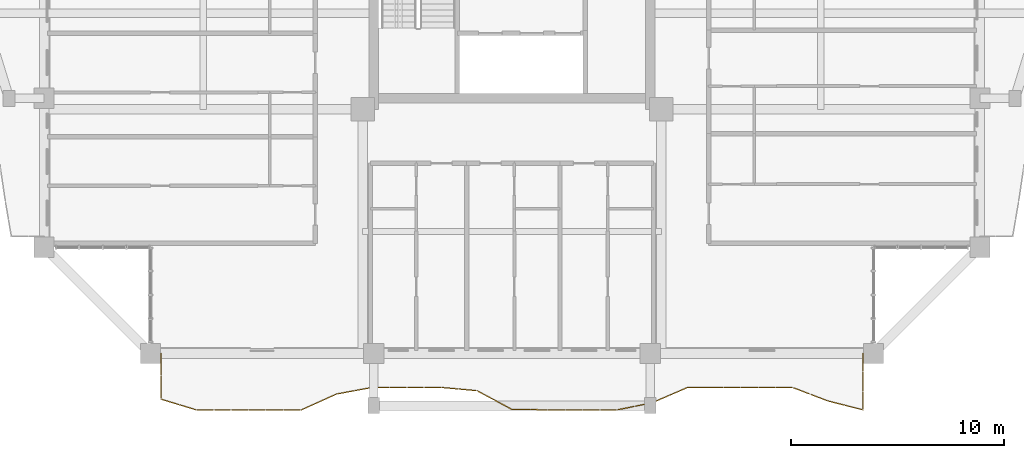
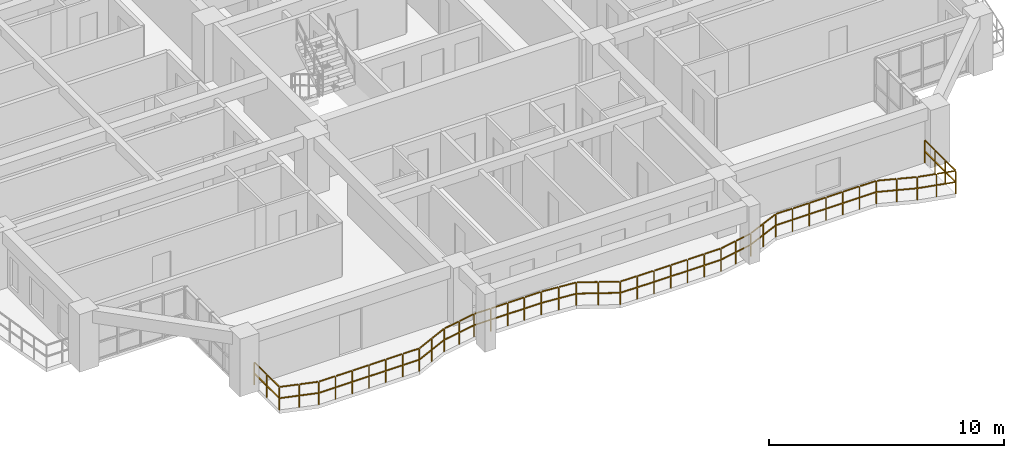
# One storey, part 20 of 24: 1 railing.
"""IFC4 building model written with IfcOpenShell, lengths in metres."""

import ifcopenshell
import ifcopenshell.guid

model = None  # the IFC model being written
_history = None  # IfcOwnerHistory: only IFC2X3 demands one
_inside = {}  # id of a spatial element -> (the spatial element, [elements in it])
_under = {}  # id of a project, library or spatial element -> (it, [spatial elements below it])
_declared = {}  # id of a project -> (the project, [libraries it declares])
_typed = {}  # id of a type object -> (the type object, [elements of that type])
_made_of = {}  # id of a material, layer set ... -> (it, [elements and type objects made of it])


def new_model(schema):
    """Start an empty IFC model of exactly this schema.

    Asked for "IFC4X3", IfcOpenShell would pick the latest addendum, in which some entities
    have other attributes; the version numbers below select the first issue.
    IFC2X3 requires an IfcOwnerHistory on every rooted entity: one is made here for all.
    """
    global model, _history
    if schema == "IFC4X3":
        model = ifcopenshell.file(schema_version=(4, 3, 0, 0))
    else:
        model = ifcopenshell.file(schema=schema)
    _inside.clear()
    _under.clear()
    _declared.clear()
    _typed.clear()
    _made_of.clear()
    _history = None
    if model.schema == "IFC2X3":
        org = make("IfcOrganization", Name="unknown")
        user = make(
            "IfcPersonAndOrganization",
            ThePerson=make("IfcPerson", FamilyName="unknown"),
            TheOrganization=org,
        )
        app = make(
            "IfcApplication",
            ApplicationDeveloper=org,
            Version="unknown",
            ApplicationFullName="unknown",
            ApplicationIdentifier="unknown",
        )
        _history = make(
            "IfcOwnerHistory",
            OwningUser=user,
            OwningApplication=app,
            ChangeAction="ADDED",
            CreationDate=0,
        )
    return model


def make(cls, **values):
    """One entity of the class cls with the attributes given. An attribute that is None is left unset."""
    return model.create_entity(
        cls, **{name: value for name, value in values.items() if value is not None}
    )


def rooted(cls, **values):
    """An entity with a GlobalId (a new one), such as an element, a storey or a relation."""
    return make(cls, GlobalId=ifcopenshell.guid.new(), OwnerHistory=_history, **values)


def si_unit(unit_type, name, prefix=None):
    """IfcSIUnit, for example si_unit("LENGTHUNIT", "METRE", prefix="MILLI")."""
    return make("IfcSIUnit", UnitType=unit_type, Prefix=prefix, Name=name)


def assignment(units):
    """IfcUnitAssignment: the units of a project."""
    return None if units is None else make("IfcUnitAssignment", Units=units)


def point(xyz):
    """IfcCartesianPoint."""
    return None if xyz is None else make("IfcCartesianPoint", Coordinates=xyz)


def direction(xyz):
    """IfcDirection."""
    return None if xyz is None else make("IfcDirection", DirectionRatios=xyz)


def frame(location, z_axis=None, x_axis=None):
    """IfcAxis2Placement3D, a coordinate frame: its origin and axes. An axis left out is left unset."""
    return make(
        "IfcAxis2Placement3D",
        Location=point(location),
        Axis=direction(z_axis),
        RefDirection=direction(x_axis),
    )


def frame_2d(location, x_axis=None):
    """IfcAxis2Placement2D, a coordinate frame in the plane: its origin and x axis."""
    return make(
        "IfcAxis2Placement2D", Location=point(location), RefDirection=direction(x_axis)
    )


def origin():
    """The frame at (0, 0, 0) with its axes left unset."""
    return frame((0.0, 0.0, 0.0))


def origin_2d():
    """The frame at (0, 0) in the plane with its x axis left unset."""
    return frame_2d((0.0, 0.0))


def place(relative_to, where):
    """IfcLocalPlacement: puts the frame where relative to a parent placement (None: the world)."""
    return make(
        "IfcLocalPlacement", PlacementRelTo=relative_to, RelativePlacement=where
    )


def context(
    kind, dimensions, precision=None, world=None, true_north=None, identifier=None
):
    """IfcGeometricRepresentationContext, for example the 3D "Model" context."""
    return make(
        "IfcGeometricRepresentationContext",
        ContextIdentifier=identifier,
        ContextType=kind,
        CoordinateSpaceDimension=dimensions,
        Precision=precision,
        WorldCoordinateSystem=world,
        TrueNorth=true_north,
    )


def subcontext(parent, identifier, kind, view, scale=None):
    """IfcGeometricRepresentationSubContext, for example "Body" below "Model"."""
    return make(
        "IfcGeometricRepresentationSubContext",
        ContextIdentifier=identifier,
        ContextType=kind,
        ParentContext=parent,
        TargetScale=scale,
        TargetView=view,
    )


def project(units=None, contexts=None):
    """IfcProject with its units and contexts."""
    return rooted(
        "IfcProject",
        Name="project",
        RepresentationContexts=contexts,
        UnitsInContext=assignment(units),
    )


def spatial(cls, under=None, at=None, **own):
    """A site, building, storey or space (cls), placed at a placement, below another one or the project."""
    s = rooted(cls, ObjectPlacement=at, **own)
    if under is not None:
        _under.setdefault(under.id(), (under, []))[1].append(s)
    return s


def profile(cls, at=None, kind="AREA", **sizes):
    """A parametric profile (cls). Its sizes go by their IFC names, for example OverallWidth=200.0."""
    return make(cls, ProfileType=kind, Position=at, **sizes)


def rectangle(**sizes):
    """IfcRectangleProfileDef."""
    return profile("IfcRectangleProfileDef", **sizes)


def extrude(swept, where, along, depth):
    """IfcExtrudedAreaSolid: the profile swept, set in the frame where, extruded along a direction by depth."""
    return make(
        "IfcExtrudedAreaSolid",
        SweptArea=swept,
        Position=where,
        ExtrudedDirection=direction(along),
        Depth=depth,
    )


def shape(context_of_items, identifier, shape_type, items):
    """IfcShapeRepresentation: the items that make up one representation, for example the "Body"."""
    return make(
        "IfcShapeRepresentation",
        ContextOfItems=context_of_items,
        RepresentationIdentifier=identifier,
        RepresentationType=shape_type,
        Items=items,
    )


def material(Name=None, Category=None):
    """IfcMaterial."""
    return make("IfcMaterial", Name=Name, Category=Category)


def made_of(thing, what):
    """Note that an element or type object is made of a material, layer set ...; save() writes the relation."""
    if what is not None:
        _made_of.setdefault(what.id(), (what, []))[1].append(thing)
    return thing


def type_object(cls, material=None, **own):
    """A type object (cls), such as IfcWallType, which elements share."""
    return made_of(rooted(cls, **own), material)


def element(
    cls,
    number,
    at=None,
    inside=None,
    cuts=None,
    type_object=None,
    material=None,
    context=None,
    identifier="Body",
    shape_type=None,
    held_by="IfcProductDefinitionShape",
    body=None,
    shapes=None,
    **own,
):
    """One element of the class cls, such as IfcWall. Its Tag is "e" and its number.

    at: its placement. inside: the storey or other place that contains it. cuts: it is an
    opening in that element (IfcRelVoidsElement). A single representation is given by context,
    identifier, shape_type and body (its items); several are given by shapes. held_by: the class
    of the entity that holds the representations. save() writes the other relations.
    """
    e = rooted(cls, Tag="e%d" % number, ObjectPlacement=at, **own)
    if body is not None:
        shapes = [shape(context, identifier, shape_type, body)]
    if shapes is not None:
        e.Representation = make(held_by, Representations=shapes)
    if inside is not None:
        _inside.setdefault(inside.id(), (inside, []))[1].append(e)
    if cuts is not None:
        rooted(
            "IfcRelVoidsElement", RelatingBuildingElement=cuts, RelatedOpeningElement=e
        )
    if type_object is not None:
        _typed.setdefault(type_object.id(), (type_object, []))[1].append(e)
    return made_of(e, material)


def aggregate(whole, parts):
    """IfcRelAggregates: a whole, such as a stair, and the parts it consists of."""
    return rooted("IfcRelAggregates", RelatingObject=whole, RelatedObjects=parts)


def save(model, path):
    """Write the relations noted so far, then the file.

    IfcRelAggregates (storeys below a building ...), IfcRelContainedInSpatialStructure (elements
    in a storey), IfcRelDefinesByType, IfcRelAssociatesMaterial and IfcRelDeclares: one each for
    every whole, place, type object, material and project.
    """
    for whole, parts in _under.values():
        aggregate(whole, parts)
    for where, things in _inside.values():
        rooted(
            "IfcRelContainedInSpatialStructure",
            RelatedElements=things,
            RelatingStructure=where,
        )
    for kind, things in _typed.values():
        rooted("IfcRelDefinesByType", RelatedObjects=things, RelatingType=kind)
    for what, things in _made_of.values():
        rooted("IfcRelAssociatesMaterial", RelatedObjects=things, RelatingMaterial=what)
    for by, libraries in _declared.values():
        rooted("IfcRelDeclares", RelatingContext=by, RelatedDefinitions=libraries)
    model.write(path)


model = new_model("IFC4")

# Units and contexts
model_context = context("Model", 3, precision=1e-05, world=origin(), true_north=direction((0.0, 1.0)))
body_context = subcontext(model_context, "Body", "Model", "MODEL_VIEW")
ifc_project = project(units=[si_unit("LENGTHUNIT", "METRE"), si_unit("AREAUNIT", "SQUARE_METRE"), si_unit("VOLUMEUNIT", "CUBIC_METRE"), si_unit("PLANEANGLEUNIT", "RADIAN"), si_unit("MASSUNIT", "GRAM", prefix="KILO")], contexts=[model_context])

# Site, building, storey
site_placement = place(None, origin())
site = spatial("IfcSite", under=ifc_project, at=site_placement, CompositionType="ELEMENT")
building_placement = place(site_placement, origin())
building = spatial("IfcBuilding", under=site, at=building_placement, Name="Saelheon Loggia Tower", CompositionType="ELEMENT")
storey_placement = place(building_placement, frame((0.0, 0.0, 166.0)))
storey = spatial("IfcBuildingStorey", under=building, at=storey_placement, Name="L52", CompositionType="ELEMENT", Elevation=166.0)

# Railing
ifc_material = material(Name="Architectural Precast Concrete and Laminated Glass Guard", Category="concrete")
railing_type = type_object("IfcRailingType", Name="Guard_Loggia_RL_LOG", PredefinedType="BALUSTRADE", material=ifc_material)
railing_placement = place(storey_placement, frame((21.5, 6.0, 0.0)))
element("IfcRailing", 1, at=railing_placement, inside=storey, type_object=railing_type, Name="L52 South Loggia Balustrade", PredefinedType="BALUSTRADE", context=body_context, shape_type="SweptSolid", body=[
    extrude(rectangle(XDim=0.048095703125, YDim=0.048095703125, at=origin_2d()), frame((0.0, -0.033203125, 1.19580078125), z_axis=(0.0, -1.0, 0.0), x_axis=(1.0, 0.0, 0.0)), (0.0, 0.0, 1.0), 1.008544921875),
    extrude(rectangle(XDim=0.048095703125, YDim=0.048095703125, at=origin_2d()), frame((0.0, -0.033203125, 0.60986328125), z_axis=(0.0, -1.0, 0.0), x_axis=(1.0, 0.0, 0.0)), (0.0, 0.0, 1.0), 1.008544921875),
    extrude(rectangle(XDim=0.048095703125, YDim=0.048095703125, at=origin_2d()), frame((0.0, -1.108154296875, 1.19580078125), z_axis=(0.0, -1.0, 0.0), x_axis=(1.0, 0.0, 0.0)), (0.0, 0.0, 1.0), 1.008544921875),
    extrude(rectangle(XDim=0.048095703125, YDim=0.048095703125, at=origin_2d()), frame((0.0, -1.108154296875, 0.60986328125), z_axis=(0.0, -1.0, 0.0), x_axis=(1.0, 0.0, 0.0)), (0.0, 0.0, 1.0), 1.008544921875),
    extrude(rectangle(XDim=0.048095703125, YDim=0.048095703125, at=origin_2d()), frame((0.03173828125, -2.159423828125, 1.19580078125), z_axis=(0.957019640205, -0.290023116771, 0.0), x_axis=(0.290023116771, 0.957019640205, 0.0)), (0.0, 0.0, 1.0), 0.79541015625),
    extrude(rectangle(XDim=0.048095703125, YDim=0.048095703125, at=origin_2d()), frame((0.03173828125, -2.159423828125, 0.60986328125), z_axis=(0.957019640205, -0.290023116771, 0.0), x_axis=(0.290023116771, 0.957019640205, 0.0)), (0.0, 0.0, 1.0), 0.79541015625),
    extrude(rectangle(XDim=0.048095703125, YDim=0.048095703125, at=origin_2d()), frame((0.856689453125, -2.409423828125, 1.19580078125), z_axis=(0.957019640205, -0.290023116771, 0.0), x_axis=(0.290023116771, 0.957019640205, 0.0)), (0.0, 0.0, 1.0), 0.79541015625),
    extrude(rectangle(XDim=0.048095703125, YDim=0.048095703125, at=origin_2d()), frame((0.856689453125, -2.409423828125, 0.60986328125), z_axis=(0.957019640205, -0.290023116771, 0.0), x_axis=(0.290023116771, 0.957019640205, 0.0)), (0.0, 0.0, 1.0), 0.79541015625),
    extrude(rectangle(XDim=0.048095703125, YDim=0.048095703125, at=origin_2d()), frame((1.68310546875, -2.64990234375, 1.19580078125), z_axis=(1.0, 0.0, 0.0), x_axis=(0.0, 1.0, 0.0)), (0.0, 0.0, 1.0), 0.758544921875),
    extrude(rectangle(XDim=0.048095703125, YDim=0.048095703125, at=origin_2d()), frame((1.68310546875, -2.64990234375, 0.60986328125), z_axis=(1.0, 0.0, 0.0), x_axis=(0.0, 1.0, 0.0)), (0.0, 0.0, 1.0), 0.758544921875),
    extrude(rectangle(XDim=0.048095703125, YDim=0.048095703125, at=origin_2d()), frame((2.50830078125, -2.64990234375, 1.19580078125), z_axis=(1.0, 0.0, 0.0), x_axis=(0.0, 1.0, 0.0)), (0.0, 0.0, 1.0), 0.758544921875),
    extrude(rectangle(XDim=0.048095703125, YDim=0.048095703125, at=origin_2d()), frame((2.50830078125, -2.64990234375, 0.60986328125), z_axis=(1.0, 0.0, 0.0), x_axis=(0.0, 1.0, 0.0)), (0.0, 0.0, 1.0), 0.758544921875),
    extrude(rectangle(XDim=0.048095703125, YDim=0.048095703125, at=origin_2d()), frame((3.333251953125, -2.64990234375, 1.19580078125), z_axis=(1.0, 0.0, 0.0), x_axis=(0.0, 1.0, 0.0)), (0.0, 0.0, 1.0), 0.758544921875),
    extrude(rectangle(XDim=0.048095703125, YDim=0.048095703125, at=origin_2d()), frame((3.333251953125, -2.64990234375, 0.60986328125), z_axis=(1.0, 0.0, 0.0), x_axis=(0.0, 1.0, 0.0)), (0.0, 0.0, 1.0), 0.758544921875),
    extrude(rectangle(XDim=0.048095703125, YDim=0.048095703125, at=origin_2d()), frame((4.158203125, -2.64990234375, 1.19580078125), z_axis=(1.0, 0.0, 0.0), x_axis=(0.0, 1.0, 0.0)), (0.0, 0.0, 1.0), 0.758544921875),
    extrude(rectangle(XDim=0.048095703125, YDim=0.048095703125, at=origin_2d()), frame((4.158203125, -2.64990234375, 0.60986328125), z_axis=(1.0, 0.0, 0.0), x_axis=(0.0, 1.0, 0.0)), (0.0, 0.0, 1.0), 0.758544921875),
    extrude(rectangle(XDim=0.048095703125, YDim=0.048095703125, at=origin_2d()), frame((4.983154296875, -2.64990234375, 1.19580078125), z_axis=(1.0, 0.0, 0.0), x_axis=(0.0, 1.0, 0.0)), (0.0, 0.0, 1.0), 0.758544921875),
    extrude(rectangle(XDim=0.048095703125, YDim=0.048095703125, at=origin_2d()), frame((4.983154296875, -2.64990234375, 0.60986328125), z_axis=(1.0, 0.0, 0.0), x_axis=(0.0, 1.0, 0.0)), (0.0, 0.0, 1.0), 0.758544921875),
    extrude(rectangle(XDim=0.048095703125, YDim=0.048095703125, at=origin_2d()), frame((5.808349609375, -2.64990234375, 1.19580078125), z_axis=(1.0, 0.0, 0.0), x_axis=(0.0, 1.0, 0.0)), (0.0, 0.0, 1.0), 0.758544921875),
    extrude(rectangle(XDim=0.048095703125, YDim=0.048095703125, at=origin_2d()), frame((5.808349609375, -2.64990234375, 0.60986328125), z_axis=(1.0, 0.0, 0.0), x_axis=(0.0, 1.0, 0.0)), (0.0, 0.0, 1.0), 0.758544921875),
    extrude(rectangle(XDim=0.048095703125, YDim=0.048095703125, at=origin_2d()), frame((6.63037109375, -2.63623046875, 1.19580078125), z_axis=(0.911775028972, 0.410690024888, 0.0), x_axis=(-0.410690024888, 0.911775028972, 0.0)), (0.0, 0.0, 1.0), 0.83837890625),
    extrude(rectangle(XDim=0.048095703125, YDim=0.048095703125, at=origin_2d()), frame((6.63037109375, -2.63623046875, 0.60986328125), z_axis=(0.911775028972, 0.410690024888, 0.0), x_axis=(-0.410690024888, 0.911775028972, 0.0)), (0.0, 0.0, 1.0), 0.83837890625),
    extrude(rectangle(XDim=0.048095703125, YDim=0.048095703125, at=origin_2d()), frame((7.455322265625, -2.2646484375, 1.19580078125), z_axis=(0.911775028972, 0.410690024888, 0.0), x_axis=(-0.410690024888, 0.911775028972, 0.0)), (0.0, 0.0, 1.0), 0.83837890625),
    extrude(rectangle(XDim=0.048095703125, YDim=0.048095703125, at=origin_2d()), frame((7.455322265625, -2.2646484375, 0.60986328125), z_axis=(0.911775028972, 0.410690024888, 0.0), x_axis=(-0.410690024888, 0.911775028972, 0.0)), (0.0, 0.0, 1.0), 0.83837890625),
    extrude(rectangle(XDim=0.048095703125, YDim=0.048095703125, at=origin_2d()), frame((8.28271484375, -1.900634765625, 1.19580078125), z_axis=(0.983164102329, 0.182724787293, 0.0), x_axis=(-0.182724787293, 0.983164102329, 0.0)), (0.0, 0.0, 1.0), 0.772705078125),
    extrude(rectangle(XDim=0.048095703125, YDim=0.048095703125, at=origin_2d()), frame((8.28271484375, -1.900634765625, 0.60986328125), z_axis=(0.983164102329, 0.182724787293, 0.0), x_axis=(-0.182724787293, 0.983164102329, 0.0)), (0.0, 0.0, 1.0), 0.772705078125),
    extrude(rectangle(XDim=0.048095703125, YDim=0.048095703125, at=origin_2d()), frame((9.107666015625, -1.747314453125, 1.19580078125), z_axis=(0.983164102329, 0.182724787293, 0.0), x_axis=(-0.182724787293, 0.983164102329, 0.0)), (0.0, 0.0, 1.0), 0.772705078125),
    extrude(rectangle(XDim=0.048095703125, YDim=0.048095703125, at=origin_2d()), frame((9.107666015625, -1.747314453125, 0.60986328125), z_axis=(0.983164102329, 0.182724787293, 0.0), x_axis=(-0.182724787293, 0.983164102329, 0.0)), (0.0, 0.0, 1.0), 0.772705078125),
    extrude(rectangle(XDim=0.048095703125, YDim=0.048095703125, at=origin_2d()), frame((9.93310546875, -1.60009765625, 1.19580078125), z_axis=(1.0, 0.0, 0.0), x_axis=(0.0, 1.0, 0.0)), (0.0, 0.0, 1.0), 0.758544921875),
    extrude(rectangle(XDim=0.048095703125, YDim=0.048095703125, at=origin_2d()), frame((9.93310546875, -1.60009765625, 0.60986328125), z_axis=(1.0, 0.0, 0.0), x_axis=(0.0, 1.0, 0.0)), (0.0, 0.0, 1.0), 0.758544921875),
    extrude(rectangle(XDim=0.048095703125, YDim=0.048095703125, at=origin_2d()), frame((10.75830078125, -1.60009765625, 1.19580078125), z_axis=(1.0, 0.0, 0.0), x_axis=(0.0, 1.0, 0.0)), (0.0, 0.0, 1.0), 0.758544921875),
    extrude(rectangle(XDim=0.048095703125, YDim=0.048095703125, at=origin_2d()), frame((10.75830078125, -1.60009765625, 0.60986328125), z_axis=(1.0, 0.0, 0.0), x_axis=(0.0, 1.0, 0.0)), (0.0, 0.0, 1.0), 0.758544921875),
    extrude(rectangle(XDim=0.048095703125, YDim=0.048095703125, at=origin_2d()), frame((11.583251953125, -1.60009765625, 1.19580078125), z_axis=(1.0, 0.0, 0.0), x_axis=(0.0, 1.0, 0.0)), (0.0, 0.0, 1.0), 0.758544921875),
    extrude(rectangle(XDim=0.048095703125, YDim=0.048095703125, at=origin_2d()), frame((11.583251953125, -1.60009765625, 0.60986328125), z_axis=(1.0, 0.0, 0.0), x_axis=(0.0, 1.0, 0.0)), (0.0, 0.0, 1.0), 0.758544921875),
    extrude(rectangle(XDim=0.048095703125, YDim=0.048095703125, at=origin_2d()), frame((12.408203125, -1.60009765625, 1.19580078125), z_axis=(1.0, 0.0, 0.0), x_axis=(0.0, 1.0, 0.0)), (0.0, 0.0, 1.0), 0.758544921875),
    extrude(rectangle(XDim=0.048095703125, YDim=0.048095703125, at=origin_2d()), frame((12.408203125, -1.60009765625, 0.60986328125), z_axis=(1.0, 0.0, 0.0), x_axis=(0.0, 1.0, 0.0)), (0.0, 0.0, 1.0), 0.758544921875),
    extrude(rectangle(XDim=0.048095703125, YDim=0.048095703125, at=origin_2d()), frame((13.233154296875, -1.60302734375, 1.19580078125), z_axis=(0.99599165433, -0.089446210117, 0.0), x_axis=(0.089446210117, 0.99599165433, 0.0)), (0.0, 0.0, 1.0), 0.761962890625),
    extrude(rectangle(XDim=0.048095703125, YDim=0.048095703125, at=origin_2d()), frame((13.233154296875, -1.60302734375, 0.60986328125), z_axis=(0.99599165433, -0.089446210117, 0.0), x_axis=(0.089446210117, 0.99599165433, 0.0)), (0.0, 0.0, 1.0), 0.761962890625),
    extrude(rectangle(XDim=0.048095703125, YDim=0.048095703125, at=origin_2d()), frame((14.05810546875, -1.67724609375, 1.19580078125), z_axis=(0.99599165433, -0.089446210117, 0.0), x_axis=(0.089446210117, 0.99599165433, 0.0)), (0.0, 0.0, 1.0), 0.761962890625),
    extrude(rectangle(XDim=0.048095703125, YDim=0.048095703125, at=origin_2d()), frame((14.05810546875, -1.67724609375, 0.60986328125), z_axis=(0.99599165433, -0.089446210117, 0.0), x_axis=(0.089446210117, 0.99599165433, 0.0)), (0.0, 0.0, 1.0), 0.761962890625),
    extrude(rectangle(XDim=0.048095703125, YDim=0.048095703125, at=origin_2d()), frame((14.87939453125, -1.763916015625, 1.19580078125), z_axis=(0.882258963507, -0.470764401066, 0.0), x_axis=(0.470764401066, 0.882258963507, 0.0)), (0.0, 0.0, 1.0), 0.86865234375),
    extrude(rectangle(XDim=0.048095703125, YDim=0.048095703125, at=origin_2d()), frame((14.87939453125, -1.763916015625, 0.60986328125), z_axis=(0.882258963507, -0.470764401066, 0.0), x_axis=(0.470764401066, 0.882258963507, 0.0)), (0.0, 0.0, 1.0), 0.86865234375),
    extrude(rectangle(XDim=0.048095703125, YDim=0.048095703125, at=origin_2d()), frame((15.704345703125, -2.2041015625, 1.19580078125), z_axis=(0.882258963507, -0.470764401066, 0.0), x_axis=(0.470764401066, 0.882258963507, 0.0)), (0.0, 0.0, 1.0), 0.86865234375),
    extrude(rectangle(XDim=0.048095703125, YDim=0.048095703125, at=origin_2d()), frame((15.704345703125, -2.2041015625, 0.60986328125), z_axis=(0.882258963507, -0.470764401066, 0.0), x_axis=(0.470764401066, 0.882258963507, 0.0)), (0.0, 0.0, 1.0), 0.86865234375),
    extrude(rectangle(XDim=0.048095703125, YDim=0.048095703125, at=origin_2d()), frame((16.533203125, -2.629150390625, 1.19580078125), z_axis=(0.999917145108, -0.012872564609, 0.0), x_axis=(0.012872564609, 0.999917145108, 0.0)), (0.0, 0.0, 1.0), 0.758544921875),
    extrude(rectangle(XDim=0.048095703125, YDim=0.048095703125, at=origin_2d()), frame((16.533203125, -2.629150390625, 0.60986328125), z_axis=(0.999917145108, -0.012872564609, 0.0), x_axis=(0.012872564609, 0.999917145108, 0.0)), (0.0, 0.0, 1.0), 0.758544921875),
    extrude(rectangle(XDim=0.048095703125, YDim=0.048095703125, at=origin_2d()), frame((17.358154296875, -2.6396484375, 1.19580078125), z_axis=(0.999917145108, -0.012872564609, 0.0), x_axis=(0.012872564609, 0.999917145108, 0.0)), (0.0, 0.0, 1.0), 0.758544921875),
    extrude(rectangle(XDim=0.048095703125, YDim=0.048095703125, at=origin_2d()), frame((17.358154296875, -2.6396484375, 0.60986328125), z_axis=(0.999917145108, -0.012872564609, 0.0), x_axis=(0.012872564609, 0.999917145108, 0.0)), (0.0, 0.0, 1.0), 0.758544921875),
    extrude(rectangle(XDim=0.048095703125, YDim=0.048095703125, at=origin_2d()), frame((18.18310546875, -2.64990234375, 1.19580078125), z_axis=(1.0, 0.0, 0.0), x_axis=(0.0, 1.0, 0.0)), (0.0, 0.0, 1.0), 0.758544921875),
    extrude(rectangle(XDim=0.048095703125, YDim=0.048095703125, at=origin_2d()), frame((18.18310546875, -2.64990234375, 0.60986328125), z_axis=(1.0, 0.0, 0.0), x_axis=(0.0, 1.0, 0.0)), (0.0, 0.0, 1.0), 0.758544921875),
    extrude(rectangle(XDim=0.048095703125, YDim=0.048095703125, at=origin_2d()), frame((19.00830078125, -2.64990234375, 1.19580078125), z_axis=(1.0, 0.0, 0.0), x_axis=(0.0, 1.0, 0.0)), (0.0, 0.0, 1.0), 0.758544921875),
    extrude(rectangle(XDim=0.048095703125, YDim=0.048095703125, at=origin_2d()), frame((19.00830078125, -2.64990234375, 0.60986328125), z_axis=(1.0, 0.0, 0.0), x_axis=(0.0, 1.0, 0.0)), (0.0, 0.0, 1.0), 0.758544921875),
    extrude(rectangle(XDim=0.048095703125, YDim=0.048095703125, at=origin_2d()), frame((19.833251953125, -2.64990234375, 1.19580078125), z_axis=(1.0, 0.0, 0.0), x_axis=(0.0, 1.0, 0.0)), (0.0, 0.0, 1.0), 0.758544921875),
    extrude(rectangle(XDim=0.048095703125, YDim=0.048095703125, at=origin_2d()), frame((19.833251953125, -2.64990234375, 0.60986328125), z_axis=(1.0, 0.0, 0.0), x_axis=(0.0, 1.0, 0.0)), (0.0, 0.0, 1.0), 0.758544921875),
    extrude(rectangle(XDim=0.048095703125, YDim=0.048095703125, at=origin_2d()), frame((20.658203125, -2.64990234375, 1.19580078125), z_axis=(1.0, 0.0, 0.0), x_axis=(0.0, 1.0, 0.0)), (0.0, 0.0, 1.0), 0.758544921875),
    extrude(rectangle(XDim=0.048095703125, YDim=0.048095703125, at=origin_2d()), frame((20.658203125, -2.64990234375, 0.60986328125), z_axis=(1.0, 0.0, 0.0), x_axis=(0.0, 1.0, 0.0)), (0.0, 0.0, 1.0), 0.758544921875),
    extrude(rectangle(XDim=0.048095703125, YDim=0.048095703125, at=origin_2d()), frame((21.482421875, -2.643310546875, 1.19580078125), z_axis=(0.979758245282, 0.200184367027, 0.0), x_axis=(-0.200184367027, 0.979758245282, 0.0)), (0.0, 0.0, 1.0), 0.775634765625),
    extrude(rectangle(XDim=0.048095703125, YDim=0.048095703125, at=origin_2d()), frame((21.482421875, -2.643310546875, 0.60986328125), z_axis=(0.979758245282, 0.200184367027, 0.0), x_axis=(-0.200184367027, 0.979758245282, 0.0)), (0.0, 0.0, 1.0), 0.775634765625),
    extrude(rectangle(XDim=0.048095703125, YDim=0.048095703125, at=origin_2d()), frame((22.3076171875, -2.474609375, 1.19580078125), z_axis=(0.979758245282, 0.200184367027, 0.0), x_axis=(-0.200184367027, 0.979758245282, 0.0)), (0.0, 0.0, 1.0), 0.775634765625),
    extrude(rectangle(XDim=0.048095703125, YDim=0.048095703125, at=origin_2d()), frame((22.3076171875, -2.474609375, 0.60986328125), z_axis=(0.979758245282, 0.200184367027, 0.0), x_axis=(-0.200184367027, 0.979758245282, 0.0)), (0.0, 0.0, 1.0), 0.775634765625),
    extrude(rectangle(XDim=0.048095703125, YDim=0.048095703125, at=origin_2d()), frame((23.130615234375, -2.299560546875, 1.19580078125), z_axis=(0.918024145396, 0.396524486595, 0.0), x_axis=(-0.396524486595, 0.918024145396, 0.0)), (0.0, 0.0, 1.0), 0.83203125),
    extrude(rectangle(XDim=0.048095703125, YDim=0.048095703125, at=origin_2d()), frame((23.130615234375, -2.299560546875, 0.60986328125), z_axis=(0.918024145396, 0.396524486595, 0.0), x_axis=(-0.396524486595, 0.918024145396, 0.0)), (0.0, 0.0, 1.0), 0.83203125),
    extrude(rectangle(XDim=0.048095703125, YDim=0.048095703125, at=origin_2d()), frame((23.95556640625, -1.943359375, 1.19580078125), z_axis=(0.918024145396, 0.396524486595, 0.0), x_axis=(-0.396524486595, 0.918024145396, 0.0)), (0.0, 0.0, 1.0), 0.83203125),
    extrude(rectangle(XDim=0.048095703125, YDim=0.048095703125, at=origin_2d()), frame((23.95556640625, -1.943359375, 0.60986328125), z_axis=(0.918024145396, 0.396524486595, 0.0), x_axis=(-0.396524486595, 0.918024145396, 0.0)), (0.0, 0.0, 1.0), 0.83203125),
    extrude(rectangle(XDim=0.048095703125, YDim=0.048095703125, at=origin_2d()), frame((24.783203125, -1.60009765625, 1.19580078125), z_axis=(1.0, 0.0, 0.0), x_axis=(0.0, 1.0, 0.0)), (0.0, 0.0, 1.0), 0.758544921875),
    extrude(rectangle(XDim=0.048095703125, YDim=0.048095703125, at=origin_2d()), frame((24.783203125, -1.60009765625, 0.60986328125), z_axis=(1.0, 0.0, 0.0), x_axis=(0.0, 1.0, 0.0)), (0.0, 0.0, 1.0), 0.758544921875),
    extrude(rectangle(XDim=0.048095703125, YDim=0.048095703125, at=origin_2d()), frame((25.608154296875, -1.60009765625, 1.19580078125), z_axis=(1.0, 0.0, 0.0), x_axis=(0.0, 1.0, 0.0)), (0.0, 0.0, 1.0), 0.758544921875),
    extrude(rectangle(XDim=0.048095703125, YDim=0.048095703125, at=origin_2d()), frame((25.608154296875, -1.60009765625, 0.60986328125), z_axis=(1.0, 0.0, 0.0), x_axis=(0.0, 1.0, 0.0)), (0.0, 0.0, 1.0), 0.758544921875),
    extrude(rectangle(XDim=0.048095703125, YDim=0.048095703125, at=origin_2d()), frame((26.43310546875, -1.60009765625, 1.19580078125), z_axis=(1.0, 0.0, 0.0), x_axis=(0.0, 1.0, 0.0)), (0.0, 0.0, 1.0), 0.758544921875),
    extrude(rectangle(XDim=0.048095703125, YDim=0.048095703125, at=origin_2d()), frame((26.43310546875, -1.60009765625, 0.60986328125), z_axis=(1.0, 0.0, 0.0), x_axis=(0.0, 1.0, 0.0)), (0.0, 0.0, 1.0), 0.758544921875),
    extrude(rectangle(XDim=0.048095703125, YDim=0.048095703125, at=origin_2d()), frame((27.25830078125, -1.60009765625, 1.19580078125), z_axis=(1.0, 0.0, 0.0), x_axis=(0.0, 1.0, 0.0)), (0.0, 0.0, 1.0), 0.758544921875),
    extrude(rectangle(XDim=0.048095703125, YDim=0.048095703125, at=origin_2d()), frame((27.25830078125, -1.60009765625, 0.60986328125), z_axis=(1.0, 0.0, 0.0), x_axis=(0.0, 1.0, 0.0)), (0.0, 0.0, 1.0), 0.758544921875),
    extrude(rectangle(XDim=0.048095703125, YDim=0.048095703125, at=origin_2d()), frame((28.083251953125, -1.60009765625, 1.19580078125), z_axis=(1.0, 0.0, 0.0), x_axis=(0.0, 1.0, 0.0)), (0.0, 0.0, 1.0), 0.758544921875),
    extrude(rectangle(XDim=0.048095703125, YDim=0.048095703125, at=origin_2d()), frame((28.083251953125, -1.60009765625, 0.60986328125), z_axis=(1.0, 0.0, 0.0), x_axis=(0.0, 1.0, 0.0)), (0.0, 0.0, 1.0), 0.758544921875),
    extrude(rectangle(XDim=0.048095703125, YDim=0.048095703125, at=origin_2d()), frame((28.908203125, -1.60009765625, 1.19580078125), z_axis=(1.0, 0.0, 0.0), x_axis=(0.0, 1.0, 0.0)), (0.0, 0.0, 1.0), 0.758544921875),
    extrude(rectangle(XDim=0.048095703125, YDim=0.048095703125, at=origin_2d()), frame((28.908203125, -1.60009765625, 0.60986328125), z_axis=(1.0, 0.0, 0.0), x_axis=(0.0, 1.0, 0.0)), (0.0, 0.0, 1.0), 0.758544921875),
    extrude(rectangle(XDim=0.048095703125, YDim=0.048095703125, at=origin_2d()), frame((29.73095703125, -1.612060546875, 1.19580078125), z_axis=(0.933974535155, -0.357339569154, 0.0), x_axis=(0.357339569154, 0.933974535155, 0.0)), (0.0, 0.0, 1.0), 0.81689453125),
    extrude(rectangle(XDim=0.048095703125, YDim=0.048095703125, at=origin_2d()), frame((29.73095703125, -1.612060546875, 0.60986328125), z_axis=(0.933974535155, -0.357339569154, 0.0), x_axis=(0.357339569154, 0.933974535155, 0.0)), (0.0, 0.0, 1.0), 0.81689453125),
    extrude(rectangle(XDim=0.048095703125, YDim=0.048095703125, at=origin_2d()), frame((30.55615234375, -1.927734375, 1.19580078125), z_axis=(0.933974535155, -0.357339569154, 0.0), x_axis=(0.357339569154, 0.933974535155, 0.0)), (0.0, 0.0, 1.0), 0.81689453125),
    extrude(rectangle(XDim=0.048095703125, YDim=0.048095703125, at=origin_2d()), frame((30.55615234375, -1.927734375, 0.60986328125), z_axis=(0.933974535155, -0.357339569154, 0.0), x_axis=(0.357339569154, 0.933974535155, 0.0)), (0.0, 0.0, 1.0), 0.81689453125),
    extrude(rectangle(XDim=0.048095703125, YDim=0.048095703125, at=origin_2d()), frame((31.38232421875, -2.239501953125, 1.19580078125), z_axis=(0.969310022118, -0.245841577081, 0.0), x_axis=(0.245841577081, 0.969310022118, 0.0)), (0.0, 0.0, 1.0), 0.78466796875),
    extrude(rectangle(XDim=0.048095703125, YDim=0.048095703125, at=origin_2d()), frame((31.38232421875, -2.239501953125, 0.60986328125), z_axis=(0.969310022118, -0.245841577081, 0.0), x_axis=(0.245841577081, 0.969310022118, 0.0)), (0.0, 0.0, 1.0), 0.78466796875),
    extrude(rectangle(XDim=0.048095703125, YDim=0.048095703125, at=origin_2d()), frame((32.207275390625, -2.44873046875, 1.19580078125), z_axis=(0.969310022118, -0.245841577081, 0.0), x_axis=(0.245841577081, 0.969310022118, 0.0)), (0.0, 0.0, 1.0), 0.78466796875),
    extrude(rectangle(XDim=0.048095703125, YDim=0.048095703125, at=origin_2d()), frame((32.207275390625, -2.44873046875, 0.60986328125), z_axis=(0.969310022118, -0.245841577081, 0.0), x_axis=(0.245841577081, 0.969310022118, 0.0)), (0.0, 0.0, 1.0), 0.78466796875),
    extrude(rectangle(XDim=0.048095703125, YDim=0.048095703125, at=origin_2d()), frame((33.0, -2.61669921875, 1.19580078125), z_axis=(0.0, 1.0, 0.0), x_axis=(-1.0, 0.0, 0.0)), (0.0, 0.0, 1.0), 0.81689453125),
    extrude(rectangle(XDim=0.048095703125, YDim=0.048095703125, at=origin_2d()), frame((33.0, -2.61669921875, 0.60986328125), z_axis=(0.0, 1.0, 0.0), x_axis=(-1.0, 0.0, 0.0)), (0.0, 0.0, 1.0), 0.81689453125),
    extrude(rectangle(XDim=0.048095703125, YDim=0.048095703125, at=origin_2d()), frame((33.0, -1.7333984375, 1.19580078125), z_axis=(0.0, 1.0, 0.0), x_axis=(-1.0, 0.0, 0.0)), (0.0, 0.0, 1.0), 0.81689453125),
    extrude(rectangle(XDim=0.048095703125, YDim=0.048095703125, at=origin_2d()), frame((33.0, -1.7333984375, 0.60986328125), z_axis=(0.0, 1.0, 0.0), x_axis=(-1.0, 0.0, 0.0)), (0.0, 0.0, 1.0), 0.81689453125),
    extrude(rectangle(XDim=0.048095703125, YDim=0.048095703125, at=origin_2d()), frame((33.0, -0.85009765625, 1.19580078125), z_axis=(0.0, 1.0, 0.0), x_axis=(-1.0, 0.0, 0.0)), (0.0, 0.0, 1.0), 0.81689453125),
    extrude(rectangle(XDim=0.048095703125, YDim=0.048095703125, at=origin_2d()), frame((33.0, -0.85009765625, 0.60986328125), z_axis=(0.0, 1.0, 0.0), x_axis=(-1.0, 0.0, 0.0)), (0.0, 0.0, 1.0), 0.81689453125),
    extrude(rectangle(XDim=0.0419921875, YDim=0.0419921875, at=origin_2d()), origin(), (0.0, 0.0, 1.0), 1.16796875),
    extrude(rectangle(XDim=0.0419921875, YDim=0.0419921875, at=origin_2d()), frame((0.0, -1.074951171875, 0.0)), (0.0, 0.0, 1.0), 1.16796875),
    extrude(rectangle(XDim=0.0419921875, YDim=0.0419921875, at=origin_2d()), frame((0.0, -2.14990234375, 0.0)), (0.0, 0.0, 1.0), 1.16796875),
    extrude(rectangle(XDim=0.0419921875, YDim=0.0419921875, at=origin_2d()), frame((0.824951171875, -2.39990234375, 0.0)), (0.0, 0.0, 1.0), 1.16796875),
    extrude(rectangle(XDim=0.0419921875, YDim=0.0419921875, at=origin_2d()), frame((1.64990234375, -2.64990234375, 0.0)), (0.0, 0.0, 1.0), 1.16796875),
    extrude(rectangle(XDim=0.0419921875, YDim=0.0419921875, at=origin_2d()), frame((2.47509765625, -2.64990234375, 0.0)), (0.0, 0.0, 1.0), 1.16796875),
    extrude(rectangle(XDim=0.0419921875, YDim=0.0419921875, at=origin_2d()), frame((3.300048828125, -2.64990234375, 0.0)), (0.0, 0.0, 1.0), 1.16796875),
    extrude(rectangle(XDim=0.0419921875, YDim=0.0419921875, at=origin_2d()), frame((4.125, -2.64990234375, 0.0)), (0.0, 0.0, 1.0), 1.16796875),
    extrude(rectangle(XDim=0.0419921875, YDim=0.0419921875, at=origin_2d()), frame((4.949951171875, -2.64990234375, 0.0)), (0.0, 0.0, 1.0), 1.16796875),
    extrude(rectangle(XDim=0.0419921875, YDim=0.0419921875, at=origin_2d()), frame((5.77490234375, -2.64990234375, 0.0)), (0.0, 0.0, 1.0), 1.16796875),
    extrude(rectangle(XDim=0.0419921875, YDim=0.0419921875, at=origin_2d()), frame((6.60009765625, -2.64990234375, 0.0)), (0.0, 0.0, 1.0), 1.16796875),
    extrude(rectangle(XDim=0.0419921875, YDim=0.0419921875, at=origin_2d()), frame((7.425048828125, -2.2783203125, 0.0)), (0.0, 0.0, 1.0), 1.16796875),
    extrude(rectangle(XDim=0.0419921875, YDim=0.0419921875, at=origin_2d()), frame((8.25, -1.90673828125, 0.0)), (0.0, 0.0, 1.0), 1.16796875),
    extrude(rectangle(XDim=0.0419921875, YDim=0.0419921875, at=origin_2d()), frame((9.074951171875, -1.75341796875, 0.0)), (0.0, 0.0, 1.0), 1.16796875),
    extrude(rectangle(XDim=0.0419921875, YDim=0.0419921875, at=origin_2d()), frame((9.89990234375, -1.60009765625, 0.0)), (0.0, 0.0, 1.0), 1.16796875),
    extrude(rectangle(XDim=0.0419921875, YDim=0.0419921875, at=origin_2d()), frame((10.72509765625, -1.60009765625, 0.0)), (0.0, 0.0, 1.0), 1.16796875),
    extrude(rectangle(XDim=0.0419921875, YDim=0.0419921875, at=origin_2d()), frame((11.550048828125, -1.60009765625, 0.0)), (0.0, 0.0, 1.0), 1.16796875),
    extrude(rectangle(XDim=0.0419921875, YDim=0.0419921875, at=origin_2d()), frame((12.375, -1.60009765625, 0.0)), (0.0, 0.0, 1.0), 1.16796875),
    extrude(rectangle(XDim=0.0419921875, YDim=0.0419921875, at=origin_2d()), frame((13.199951171875, -1.60009765625, 0.0)), (0.0, 0.0, 1.0), 1.16796875),
    extrude(rectangle(XDim=0.0419921875, YDim=0.0419921875, at=origin_2d()), frame((14.02490234375, -1.67431640625, 0.0)), (0.0, 0.0, 1.0), 1.16796875),
    extrude(rectangle(XDim=0.0419921875, YDim=0.0419921875, at=origin_2d()), frame((14.85009765625, -1.748291015625, 0.0)), (0.0, 0.0, 1.0), 1.16796875),
    extrude(rectangle(XDim=0.0419921875, YDim=0.0419921875, at=origin_2d()), frame((15.675048828125, -2.1884765625, 0.0)), (0.0, 0.0, 1.0), 1.16796875),
    extrude(rectangle(XDim=0.0419921875, YDim=0.0419921875, at=origin_2d()), frame((16.5, -2.628662109375, 0.0)), (0.0, 0.0, 1.0), 1.16796875),
    extrude(rectangle(XDim=0.0419921875, YDim=0.0419921875, at=origin_2d()), frame((17.324951171875, -2.63916015625, 0.0)), (0.0, 0.0, 1.0), 1.16796875),
    extrude(rectangle(XDim=0.0419921875, YDim=0.0419921875, at=origin_2d()), frame((18.14990234375, -2.64990234375, 0.0)), (0.0, 0.0, 1.0), 1.16796875),
    extrude(rectangle(XDim=0.0419921875, YDim=0.0419921875, at=origin_2d()), frame((18.97509765625, -2.64990234375, 0.0)), (0.0, 0.0, 1.0), 1.16796875),
    extrude(rectangle(XDim=0.0419921875, YDim=0.0419921875, at=origin_2d()), frame((19.800048828125, -2.64990234375, 0.0)), (0.0, 0.0, 1.0), 1.16796875),
    extrude(rectangle(XDim=0.0419921875, YDim=0.0419921875, at=origin_2d()), frame((20.625, -2.64990234375, 0.0)), (0.0, 0.0, 1.0), 1.16796875),
    extrude(rectangle(XDim=0.0419921875, YDim=0.0419921875, at=origin_2d()), frame((21.449951171875, -2.64990234375, 0.0)), (0.0, 0.0, 1.0), 1.16796875),
    extrude(rectangle(XDim=0.0419921875, YDim=0.0419921875, at=origin_2d()), frame((22.27490234375, -2.4814453125, 0.0)), (0.0, 0.0, 1.0), 1.16796875),
    extrude(rectangle(XDim=0.0419921875, YDim=0.0419921875, at=origin_2d()), frame((23.10009765625, -2.312744140625, 0.0)), (0.0, 0.0, 1.0), 1.16796875),
    extrude(rectangle(XDim=0.0419921875, YDim=0.0419921875, at=origin_2d()), frame((23.925048828125, -1.95654296875, 0.0)), (0.0, 0.0, 1.0), 1.16796875),
    extrude(rectangle(XDim=0.0419921875, YDim=0.0419921875, at=origin_2d()), frame((24.75, -1.60009765625, 0.0)), (0.0, 0.0, 1.0), 1.16796875),
    extrude(rectangle(XDim=0.0419921875, YDim=0.0419921875, at=origin_2d()), frame((25.574951171875, -1.60009765625, 0.0)), (0.0, 0.0, 1.0), 1.16796875),
    extrude(rectangle(XDim=0.0419921875, YDim=0.0419921875, at=origin_2d()), frame((26.39990234375, -1.60009765625, 0.0)), (0.0, 0.0, 1.0), 1.16796875),
    extrude(rectangle(XDim=0.0419921875, YDim=0.0419921875, at=origin_2d()), frame((27.22509765625, -1.60009765625, 0.0)), (0.0, 0.0, 1.0), 1.16796875),
    extrude(rectangle(XDim=0.0419921875, YDim=0.0419921875, at=origin_2d()), frame((28.050048828125, -1.60009765625, 0.0)), (0.0, 0.0, 1.0), 1.16796875),
    extrude(rectangle(XDim=0.0419921875, YDim=0.0419921875, at=origin_2d()), frame((28.875, -1.60009765625, 0.0)), (0.0, 0.0, 1.0), 1.16796875),
    extrude(rectangle(XDim=0.0419921875, YDim=0.0419921875, at=origin_2d()), frame((29.699951171875, -1.60009765625, 0.0)), (0.0, 0.0, 1.0), 1.16796875),
    extrude(rectangle(XDim=0.0419921875, YDim=0.0419921875, at=origin_2d()), frame((30.52490234375, -1.915771484375, 0.0)), (0.0, 0.0, 1.0), 1.16796875),
    extrude(rectangle(XDim=0.0419921875, YDim=0.0419921875, at=origin_2d()), frame((31.35009765625, -2.2314453125, 0.0)), (0.0, 0.0, 1.0), 1.16796875),
    extrude(rectangle(XDim=0.0419921875, YDim=0.0419921875, at=origin_2d()), frame((32.175048828125, -2.440673828125, 0.0)), (0.0, 0.0, 1.0), 1.16796875),
    extrude(rectangle(XDim=0.0419921875, YDim=0.0419921875, at=origin_2d()), frame((33.0, -2.64990234375, 0.0)), (0.0, 0.0, 1.0), 1.16796875),
    extrude(rectangle(XDim=0.0419921875, YDim=0.0419921875, at=origin_2d()), frame((33.0, -1.7666015625, 0.0)), (0.0, 0.0, 1.0), 1.16796875),
    extrude(rectangle(XDim=0.0419921875, YDim=0.0419921875, at=origin_2d()), frame((33.0, -0.88330078125, 0.0)), (0.0, 0.0, 1.0), 1.16796875),
    extrude(rectangle(XDim=0.0419921875, YDim=0.0419921875, at=origin_2d()), frame((33.0, 0.0, 0.0)), (0.0, 0.0, 1.0), 1.16796875),
])

save(model, "model.ifc")
